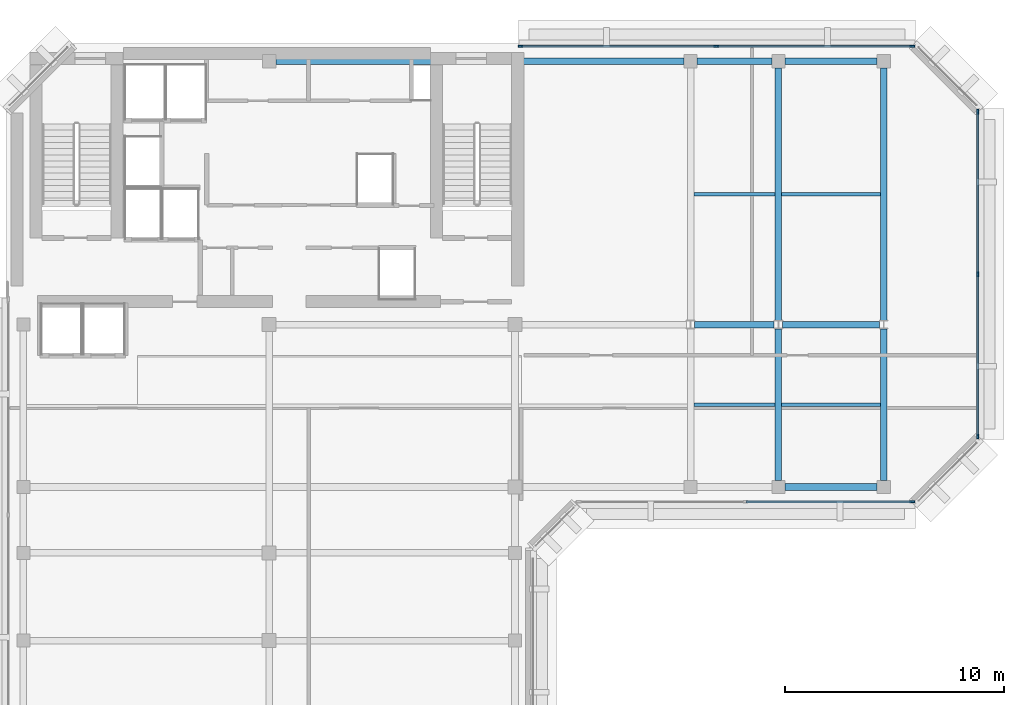
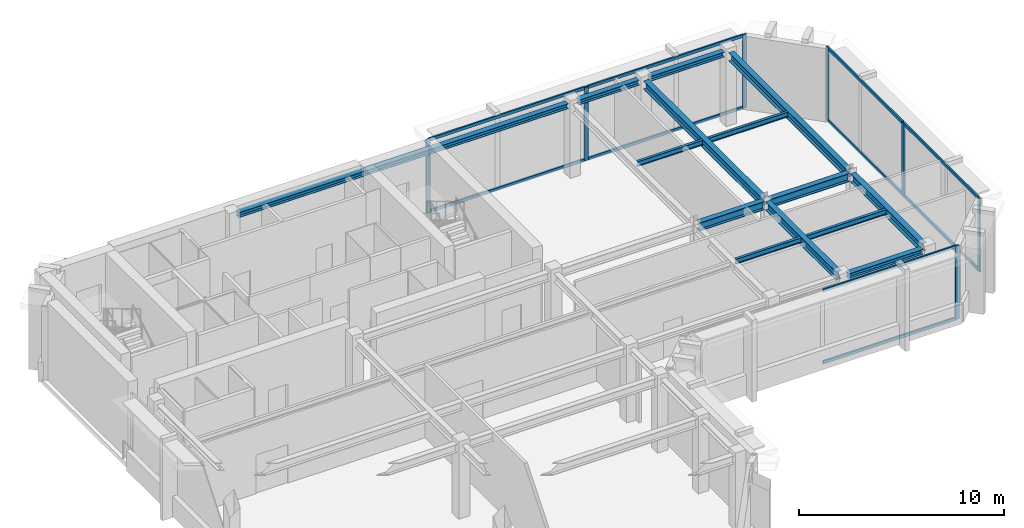
# One storey, part 3 of 11: 17 members, 14 beams, 3 elements without a shape of their own.
"""IFC4 building model written with IfcOpenShell, lengths in metres."""

from ifc_helpers import new_model, si_unit, direction, frame, origin, origin_2d, place, context, subcontext, project, spatial, rectangle, i_section, extrude, material, layer, layer_set, material_profile, profile_set, type_object, element, aggregate, save


model = new_model("IFC4")

# Units and contexts
model_context = context("Model", 3, precision=1e-05, world=origin(), true_north=direction((0.0, 1.0)))
body_context = subcontext(model_context, "Body", "Model", "MODEL_VIEW")
ifc_project = project(units=[si_unit("LENGTHUNIT", "METRE"), si_unit("AREAUNIT", "SQUARE_METRE"), si_unit("VOLUMEUNIT", "CUBIC_METRE"), si_unit("PLANEANGLEUNIT", "RADIAN"), si_unit("MASSUNIT", "GRAM", prefix="KILO")], contexts=[model_context])

# Site, building, storey
site_placement = place(None, origin())
site = spatial("IfcSite", under=ifc_project, at=site_placement, CompositionType="ELEMENT")
building_placement = place(site_placement, origin())
building = spatial("IfcBuilding", under=site, at=building_placement, Name="Kefirva Bronze Tower", CompositionType="ELEMENT")
storey_placement = place(building_placement, frame((0.0, 0.0, 347.489990234375)))
storey = spatial("IfcBuildingStorey", under=building, at=storey_placement, Name="L85", CompositionType="ELEMENT", Elevation=347.489990234375)

# Curtain wall, member
ifc_material_1 = material(Name="Bronze anodised aluminium", Category="aluminium")
ifc_layer = layer(ifc_material_1, 0.219970703125, Name="Bronze anodised aluminium")
ifc_layer_set = layer_set([ifc_layer], Name="Bronze anodised aluminium")
curtain_wall_type = type_object("IfcCurtainWallType", Name="Slanted Crown Faceted Bronze Curtain Wall", PredefinedType="USERDEFINED", material=ifc_layer_set)
curtain_wall_1_placement = place(storey_placement, origin())
curtain_wall_1 = element("IfcCurtainWall", 1, at=curtain_wall_1_placement, inside=storey, type_object=curtain_wall_type, Name="L85 Curtain Wall 1", ObjectType="UNITISED CURTAIN WALL", PredefinedType="USERDEFINED")
ifc_material_profile_1 = material_profile(ifc_material_1, rectangle(XDim=0.090087890625, YDim=0.219970703125, at=origin_2d()), Name="ALU 90x220")
ifc_profile_set_1 = profile_set([ifc_material_profile_1], Name="Bronze anodised aluminium")
member_type_1 = type_object("IfcMemberType", Name="Bronze Mullion 90x220", PredefinedType="MULLION", material=ifc_profile_set_1)
member_1_placement = place(storey_placement, frame((41.300048828125, 25.1201171875, 0.0), z_axis=(0.0, 0.0, 1.0), x_axis=(0.0, 1.0, 0.0)))
member_1 = element("IfcMember", 2, at=member_1_placement, type_object=member_type_1, Name="CW-07 mullion 3", PredefinedType="MULLION", context=body_context, shape_type="SweptSolid", body=[
    extrude(rectangle(XDim=0.090087890625, YDim=0.219970703125, at=origin_2d()), origin(), (0.0, 0.0, 1.0), 4.3701171875),
])

# Curtain wall, members
curtain_wall_2_placement = place(storey_placement, origin())
curtain_wall_2 = element("IfcCurtainWall", 3, at=curtain_wall_2_placement, inside=storey, type_object=curtain_wall_type, Name="L85 Curtain Wall 2", ObjectType="UNITISED CURTAIN WALL", PredefinedType="USERDEFINED")
member_2_placement = place(storey_placement, frame((44.280029296875, 28.10009765625, 0.0), z_axis=(0.0, 0.0, 1.0), x_axis=(-1.0, 0.0, 0.0)))
member_2 = element("IfcMember", 4, at=member_2_placement, type_object=member_type_1, Name="CW-07 mullion 1", PredefinedType="MULLION", context=body_context, shape_type="SweptSolid", body=[
    extrude(rectangle(XDim=0.090087890625, YDim=0.219970703125, at=origin_2d()), origin(), (0.0, 0.0, 1.0), 4.3701171875),
])
member_3_placement = place(storey_placement, frame((44.280029296875, 35.5, 0.0), z_axis=(0.0, 0.0, 1.0), x_axis=(-1.0, 0.0, 0.0)))
member_3 = element("IfcMember", 5, at=member_3_placement, type_object=member_type_1, Name="CW-07 mullion 2", PredefinedType="MULLION", context=body_context, shape_type="SweptSolid", body=[
    extrude(rectangle(XDim=0.090087890625, YDim=0.219970703125, at=origin_2d()), origin(), (0.0, 0.0, 1.0), 4.3701171875),
])
member_4_placement = place(storey_placement, frame((44.280029296875, 42.89990234375, 0.0), z_axis=(0.0, 0.0, 1.0), x_axis=(-1.0, 0.0, 0.0)))
member_4 = element("IfcMember", 6, at=member_4_placement, type_object=member_type_1, Name="CW-07 mullion 3", PredefinedType="MULLION", context=body_context, shape_type="SweptSolid", body=[
    extrude(rectangle(XDim=0.090087890625, YDim=0.219970703125, at=origin_2d()), origin(), (0.0, 0.0, 1.0), 4.3701171875),
])

curtain_wall_3_placement = place(storey_placement, origin())
curtain_wall_3 = element("IfcCurtainWall", 7, at=curtain_wall_3_placement, inside=storey, type_object=curtain_wall_type, Name="L85 Curtain Wall 3", ObjectType="UNITISED CURTAIN WALL", PredefinedType="USERDEFINED")
member_5_placement = place(storey_placement, frame((41.300048828125, 45.8798828125, 0.0), z_axis=(0.0, 0.0, 1.0), x_axis=(0.0, -1.0, 0.0)))
member_5 = element("IfcMember", 8, at=member_5_placement, type_object=member_type_1, Name="CW-07 mullion 1", PredefinedType="MULLION", context=body_context, shape_type="SweptSolid", body=[
    extrude(rectangle(XDim=0.090087890625, YDim=0.219970703125, at=origin_2d()), origin(), (0.0, 0.0, 1.0), 4.3701171875),
])
member_6_placement = place(storey_placement, frame((32.375, 45.8798828125, 0.0), z_axis=(0.0, 0.0, 1.0), x_axis=(0.0, -1.0, 0.0)))
member_6 = element("IfcMember", 9, at=member_6_placement, type_object=member_type_1, Name="CW-07 mullion 2", PredefinedType="MULLION", context=body_context, shape_type="SweptSolid", body=[
    extrude(rectangle(XDim=0.090087890625, YDim=0.219970703125, at=origin_2d()), origin(), (0.0, 0.0, 1.0), 4.3701171875),
])
member_7_placement = place(storey_placement, frame((23.449951171875, 45.8798828125, 0.0), z_axis=(0.0, 0.0, 1.0), x_axis=(0.0, -1.0, 0.0)))
member_7 = element("IfcMember", 10, at=member_7_placement, type_object=member_type_1, Name="CW-07 mullion 3", PredefinedType="MULLION", context=body_context, shape_type="SweptSolid", body=[
    extrude(rectangle(XDim=0.090087890625, YDim=0.219970703125, at=origin_2d()), origin(), (0.0, 0.0, 1.0), 4.3701171875),
])

# Member
ifc_material_profile_2 = material_profile(ifc_material_1, rectangle(XDim=0.090087890625, YDim=0.179931640625, at=origin_2d()), Name="ALU 90x180")
ifc_profile_set_2 = profile_set([ifc_material_profile_2], Name="Bronze anodised aluminium")
member_type_2 = type_object("IfcMemberType", Name="Bronze Transom 90x180", PredefinedType="USERDEFINED", material=ifc_profile_set_2)
member_8_placement = place(storey_placement, frame((33.7451171875, 25.1201171875, 0.044921875), z_axis=(1.0, 0.0, 0.0), x_axis=(0.0, 1.0, 0.0)))
member_8 = element("IfcMember", 11, at=member_8_placement, type_object=member_type_2, Name="CW-07 transom 2.1", ObjectType="TRANSOM", PredefinedType="USERDEFINED", context=body_context, shape_type="SweptSolid", body=[
    extrude(rectangle(XDim=0.090087890625, YDim=0.179931640625, at=origin_2d()), origin(), (0.0, 0.0, 1.0), 7.509765625),
])

member_9_placement = place(storey_placement, frame((33.7451171875, 25.1201171875, 4.324951171875), z_axis=(1.0, 0.0, 0.0), x_axis=(0.0, 1.0, 0.0)))
member_9 = element("IfcMember", 12, at=member_9_placement, type_object=member_type_2, Name="CW-07 transom 2.2", ObjectType="TRANSOM", PredefinedType="USERDEFINED", context=body_context, shape_type="SweptSolid", body=[
    extrude(rectangle(XDim=0.090087890625, YDim=0.179931640625, at=origin_2d()), origin(), (0.0, 0.0, 1.0), 7.509765625),
])

aggregate(curtain_wall_1, [member_1, member_8, member_9])

member_10_placement = place(storey_placement, frame((44.280029296875, 28.14501953125, 0.044921875), z_axis=(0.0, 1.0, 0.0), x_axis=(-1.0, 0.0, 0.0)))
member_10 = element("IfcMember", 13, at=member_10_placement, type_object=member_type_2, Name="CW-07 transom 1.1", ObjectType="TRANSOM", PredefinedType="USERDEFINED", context=body_context, shape_type="SweptSolid", body=[
    extrude(rectangle(XDim=0.090087890625, YDim=0.179931640625, at=origin_2d()), origin(), (0.0, 0.0, 1.0), 7.31005859375),
])

member_11_placement = place(storey_placement, frame((44.280029296875, 28.14501953125, 4.324951171875), z_axis=(0.0, 1.0, 0.0), x_axis=(-1.0, 0.0, 0.0)))
member_11 = element("IfcMember", 14, at=member_11_placement, type_object=member_type_2, Name="CW-07 transom 1.2", ObjectType="TRANSOM", PredefinedType="USERDEFINED", context=body_context, shape_type="SweptSolid", body=[
    extrude(rectangle(XDim=0.090087890625, YDim=0.179931640625, at=origin_2d()), origin(), (0.0, 0.0, 1.0), 7.31005859375),
])

member_12_placement = place(storey_placement, frame((44.280029296875, 35.544921875, 0.044921875), z_axis=(0.0, 1.0, 0.0), x_axis=(-1.0, 0.0, 0.0)))
member_12 = element("IfcMember", 15, at=member_12_placement, type_object=member_type_2, Name="CW-07 transom 2.1", ObjectType="TRANSOM", PredefinedType="USERDEFINED", context=body_context, shape_type="SweptSolid", body=[
    extrude(rectangle(XDim=0.090087890625, YDim=0.179931640625, at=origin_2d()), origin(), (0.0, 0.0, 1.0), 7.31005859375),
])

member_13_placement = place(storey_placement, frame((44.280029296875, 35.544921875, 4.324951171875), z_axis=(0.0, 1.0, 0.0), x_axis=(-1.0, 0.0, 0.0)))
member_13 = element("IfcMember", 16, at=member_13_placement, type_object=member_type_2, Name="CW-07 transom 2.2", ObjectType="TRANSOM", PredefinedType="USERDEFINED", context=body_context, shape_type="SweptSolid", body=[
    extrude(rectangle(XDim=0.090087890625, YDim=0.179931640625, at=origin_2d()), origin(), (0.0, 0.0, 1.0), 7.31005859375),
])

aggregate(curtain_wall_2, [member_2, member_3, member_4, member_10, member_11, member_12, member_13])

member_14_placement = place(storey_placement, frame((41.2548828125, 45.8798828125, 0.044921875), z_axis=(-1.0, 0.0, 0.0), x_axis=(0.0, -1.0, 0.0)))
member_14 = element("IfcMember", 17, at=member_14_placement, type_object=member_type_2, Name="CW-07 transom 1.1", ObjectType="TRANSOM", PredefinedType="USERDEFINED", context=body_context, shape_type="SweptSolid", body=[
    extrude(rectangle(XDim=0.090087890625, YDim=0.179931640625, at=origin_2d()), origin(), (0.0, 0.0, 1.0), 8.8349609375),
])

member_15_placement = place(storey_placement, frame((41.2548828125, 45.8798828125, 4.324951171875), z_axis=(-1.0, 0.0, 0.0), x_axis=(0.0, -1.0, 0.0)))
member_15 = element("IfcMember", 18, at=member_15_placement, type_object=member_type_2, Name="CW-07 transom 1.2", ObjectType="TRANSOM", PredefinedType="USERDEFINED", context=body_context, shape_type="SweptSolid", body=[
    extrude(rectangle(XDim=0.090087890625, YDim=0.179931640625, at=origin_2d()), origin(), (0.0, 0.0, 1.0), 8.8349609375),
])

member_16_placement = place(storey_placement, frame((32.330078125, 45.8798828125, 0.044921875), z_axis=(-1.0, 0.0, 0.0), x_axis=(0.0, -1.0, 0.0)))
member_16 = element("IfcMember", 19, at=member_16_placement, type_object=member_type_2, Name="CW-07 transom 2.1", ObjectType="TRANSOM", PredefinedType="USERDEFINED", context=body_context, shape_type="SweptSolid", body=[
    extrude(rectangle(XDim=0.090087890625, YDim=0.179931640625, at=origin_2d()), origin(), (0.0, 0.0, 1.0), 8.8349609375),
])

member_17_placement = place(storey_placement, frame((32.330078125, 45.8798828125, 4.324951171875), z_axis=(-1.0, 0.0, 0.0), x_axis=(0.0, -1.0, 0.0)))
member_17 = element("IfcMember", 20, at=member_17_placement, type_object=member_type_2, Name="CW-07 transom 2.2", ObjectType="TRANSOM", PredefinedType="USERDEFINED", context=body_context, shape_type="SweptSolid", body=[
    extrude(rectangle(XDim=0.090087890625, YDim=0.179931640625, at=origin_2d()), origin(), (0.0, 0.0, 1.0), 8.8349609375),
])

aggregate(curtain_wall_3, [member_5, member_6, member_7, member_14, member_15, member_16, member_17])

# Beams
ifc_material_2 = material(Name="Steel S355", Category="steel")
ifc_material_profile_3 = material_profile(ifc_material_2, i_section(OverallWidth=0.14990234375, OverallDepth=0.300048828125, WebThickness=0.007080078125, FlangeThickness=0.0107421875, at=origin_2d()), Name="IPE 300")
ifc_profile_set_3 = profile_set([ifc_material_profile_3], Name="Steel S355")
beam_type_1 = type_object("IfcBeamType", Name="Steel Floor Joist IPE 300", PredefinedType="JOIST", material=ifc_profile_set_3)
for number, where, z_axis, x_axis, name in (
    (21, (31.35009765625, 29.55322265625, 4.219970703125), (1.0, 0.0, 0.0), (0.0, 1.0, 0.0), "L85 JST-L85-31-295"),
    (22, (31.35009765625, 39.146728515625, 4.219970703125), (1.0, 0.0, 0.0), (0.0, 1.0, 0.0), "L85 JST-L85-31-391"),
):
    element("IfcBeam", number, at=place(storey_placement, frame(where, z_axis=z_axis, x_axis=x_axis)), inside=storey, type_object=beam_type_1, Name=name, PredefinedType="JOIST", context=body_context, shape_type="SweptSolid", body=[
        extrude(i_section(OverallWidth=0.14990234375, OverallDepth=0.300048828125, WebThickness=0.007080078125, FlangeThickness=0.0107421875, at=origin_2d()), origin(), (0.0, 0.0, 1.0), 3.699951171875),
    ])
for number, where, z_axis, x_axis, name in (
    (23, (35.35009765625, 29.55322265625, 4.219970703125), (1.0, 0.0, 0.0), (0.0, 1.0, 0.0), "L85 JST-L85-35-295"),
    (24, (35.35009765625, 39.146728515625, 4.219970703125), (1.0, 0.0, 0.0), (0.0, 1.0, 0.0), "L85 JST-L85-35-391"),
):
    element("IfcBeam", number, at=place(storey_placement, frame(where, z_axis=z_axis, x_axis=x_axis)), inside=storey, type_object=beam_type_1, Name=name, PredefinedType="JOIST", context=body_context, shape_type="SweptSolid", body=[
        extrude(i_section(OverallWidth=0.14990234375, OverallDepth=0.300048828125, WebThickness=0.007080078125, FlangeThickness=0.0107421875, at=origin_2d()), origin(), (0.0, 0.0, 1.0), 4.5),
    ])
ifc_material_profile_4 = material_profile(ifc_material_2, i_section(OverallWidth=0.300048828125, OverallDepth=0.5, WebThickness=0.014404296875, FlangeThickness=0.028076171875, at=origin_2d()), Name="HEB 500")
ifc_profile_set_4 = profile_set([ifc_material_profile_4], Name="Steel S355")
beam_type_2 = type_object("IfcBeamType", Name="Steel Girder HEB 500", PredefinedType="USERDEFINED", material=ifc_profile_set_4)
beam_1_placement = place(storey_placement, frame((31.388427734375, 33.199951171875, 4.1201171875), z_axis=(1.0, 0.0, 0.0), x_axis=(0.0, 1.0, 0.0)))
element("IfcBeam", 25, at=beam_1_placement, inside=storey, type_object=beam_type_2, Name="L85 BM-L85-EW-31-332", ObjectType="GIRDER", PredefinedType="USERDEFINED", context=body_context, shape_type="SweptSolid", body=[
    extrude(i_section(OverallWidth=0.300048828125, OverallDepth=0.5, WebThickness=0.014404296875, FlangeThickness=0.028076171875, at=origin_2d()), origin(), (0.0, 0.0, 1.0), 3.623046875),
])
beam_2_placement = place(storey_placement, frame((35.388427734375, 33.199951171875, 4.1201171875), z_axis=(1.0, 0.0, 0.0), x_axis=(0.0, 1.0, 0.0)))
element("IfcBeam", 26, at=beam_2_placement, inside=storey, type_object=beam_type_2, Name="L85 BM-L85-EW-35-332", ObjectType="GIRDER", PredefinedType="USERDEFINED", context=body_context, shape_type="SweptSolid", body=[
    extrude(i_section(OverallWidth=0.300048828125, OverallDepth=0.5, WebThickness=0.014404296875, FlangeThickness=0.028076171875, at=origin_2d()), origin(), (0.0, 0.0, 1.0), 4.423095703125),
])
beam_3_placement = place(storey_placement, frame((35.199951171875, 26.10009765625, 4.1201171875), z_axis=(0.0, 1.0, 0.0), x_axis=(-1.0, 0.0, 0.0)))
element("IfcBeam", 27, at=beam_3_placement, inside=storey, type_object=beam_type_2, Name="L85 BM-L85-NS-352-25", ObjectType="GIRDER", PredefinedType="USERDEFINED", context=body_context, shape_type="SweptSolid", body=[
    extrude(i_section(OverallWidth=0.300048828125, OverallDepth=0.5, WebThickness=0.014404296875, FlangeThickness=0.028076171875, at=origin_2d()), origin(), (0.0, 0.0, 1.0), 6.906494140625),
])
beam_4_placement = place(storey_placement, frame((35.199951171875, 33.3935546875, 4.1201171875), z_axis=(0.0, 1.0, 0.0), x_axis=(-1.0, 0.0, 0.0)))
element("IfcBeam", 28, at=beam_4_placement, inside=storey, type_object=beam_type_2, Name="L85 BM-L85-NS-352-33", ObjectType="GIRDER", PredefinedType="USERDEFINED", context=body_context, shape_type="SweptSolid", body=[
    extrude(i_section(OverallWidth=0.300048828125, OverallDepth=0.5, WebThickness=0.014404296875, FlangeThickness=0.028076171875, at=origin_2d()), origin(), (0.0, 0.0, 1.0), 11.50634765625),
])
beam_5_placement = place(storey_placement, frame((40.0, 26.10009765625, 4.1201171875), z_axis=(0.0, 1.0, 0.0), x_axis=(-1.0, 0.0, 0.0)))
element("IfcBeam", 29, at=beam_5_placement, inside=storey, type_object=beam_type_2, Name="L85 BM-L85-NS-400-25", ObjectType="GIRDER", PredefinedType="USERDEFINED", context=body_context, shape_type="SweptSolid", body=[
    extrude(i_section(OverallWidth=0.300048828125, OverallDepth=0.5, WebThickness=0.014404296875, FlangeThickness=0.028076171875, at=origin_2d()), origin(), (0.0, 0.0, 1.0), 6.906494140625),
])
beam_6_placement = place(storey_placement, frame((40.0, 33.3935546875, 4.1201171875), z_axis=(0.0, 1.0, 0.0), x_axis=(-1.0, 0.0, 0.0)))
element("IfcBeam", 30, at=beam_6_placement, inside=storey, type_object=beam_type_2, Name="L85 BM-L85-NS-400-33", ObjectType="GIRDER", PredefinedType="USERDEFINED", context=body_context, shape_type="SweptSolid", body=[
    extrude(i_section(OverallWidth=0.300048828125, OverallDepth=0.5, WebThickness=0.014404296875, FlangeThickness=0.028076171875, at=origin_2d()), origin(), (0.0, 0.0, 1.0), 11.50634765625),
])
ifc_material_profile_5 = material_profile(ifc_material_2, i_section(OverallWidth=0.300048828125, OverallDepth=0.300048828125, WebThickness=0.010986328125, FlangeThickness=0.01904296875, at=origin_2d()), Name="HEB 300")
ifc_profile_set_5 = profile_set([ifc_material_profile_5], Name="Steel S355")
beam_type_3 = type_object("IfcBeamType", Name="Steel Spandrel HEB 300 Ext", PredefinedType="SPANDREL", material=ifc_profile_set_5)
beam_7_placement = place(storey_placement, frame((35.5, 25.800048828125, 4.219970703125), z_axis=(1.0, 0.0, 0.0), x_axis=(0.0, 1.0, 0.0)))
element("IfcBeam", 31, at=beam_7_placement, inside=storey, type_object=beam_type_3, Name="L85 BM-L85-EW-35-258", PredefinedType="SPANDREL", context=body_context, shape_type="SweptSolid", body=[
    extrude(i_section(OverallWidth=0.300048828125, OverallDepth=0.300048828125, WebThickness=0.010986328125, FlangeThickness=0.01904296875, at=origin_2d()), origin(), (0.0, 0.0, 1.0), 4.199951171875),
])
beam_8_placement = place(storey_placement, frame((12.300048828125, 45.199951171875, 4.219970703125), z_axis=(1.0, 0.0, 0.0), x_axis=(0.0, 1.0, 0.0)))
element("IfcBeam", 32, at=beam_8_placement, inside=storey, type_object=beam_type_3, Name="L85 BM-L85-EW-12-452", PredefinedType="SPANDREL", context=body_context, shape_type="SweptSolid", body=[
    extrude(i_section(OverallWidth=0.300048828125, OverallDepth=0.300048828125, WebThickness=0.010986328125, FlangeThickness=0.01904296875, at=origin_2d()), origin(), (0.0, 0.0, 1.0), 18.599853515625),
])
beam_9_placement = place(storey_placement, frame((31.5, 45.199951171875, 4.219970703125), z_axis=(1.0, 0.0, 0.0), x_axis=(0.0, 1.0, 0.0)))
element("IfcBeam", 33, at=beam_9_placement, inside=storey, type_object=beam_type_3, Name="L85 BM-L85-EW-31-452", PredefinedType="SPANDREL", context=body_context, shape_type="SweptSolid", body=[
    extrude(i_section(OverallWidth=0.300048828125, OverallDepth=0.300048828125, WebThickness=0.010986328125, FlangeThickness=0.01904296875, at=origin_2d()), origin(), (0.0, 0.0, 1.0), 3.39990234375),
])
beam_10_placement = place(storey_placement, frame((35.5, 45.199951171875, 4.219970703125), z_axis=(1.0, 0.0, 0.0), x_axis=(0.0, 1.0, 0.0)))
element("IfcBeam", 34, at=beam_10_placement, inside=storey, type_object=beam_type_3, Name="L85 BM-L85-EW-35-452", PredefinedType="SPANDREL", context=body_context, shape_type="SweptSolid", body=[
    extrude(i_section(OverallWidth=0.300048828125, OverallDepth=0.300048828125, WebThickness=0.010986328125, FlangeThickness=0.01904296875, at=origin_2d()), origin(), (0.0, 0.0, 1.0), 4.199951171875),
])

save(model, "model.ifc")
